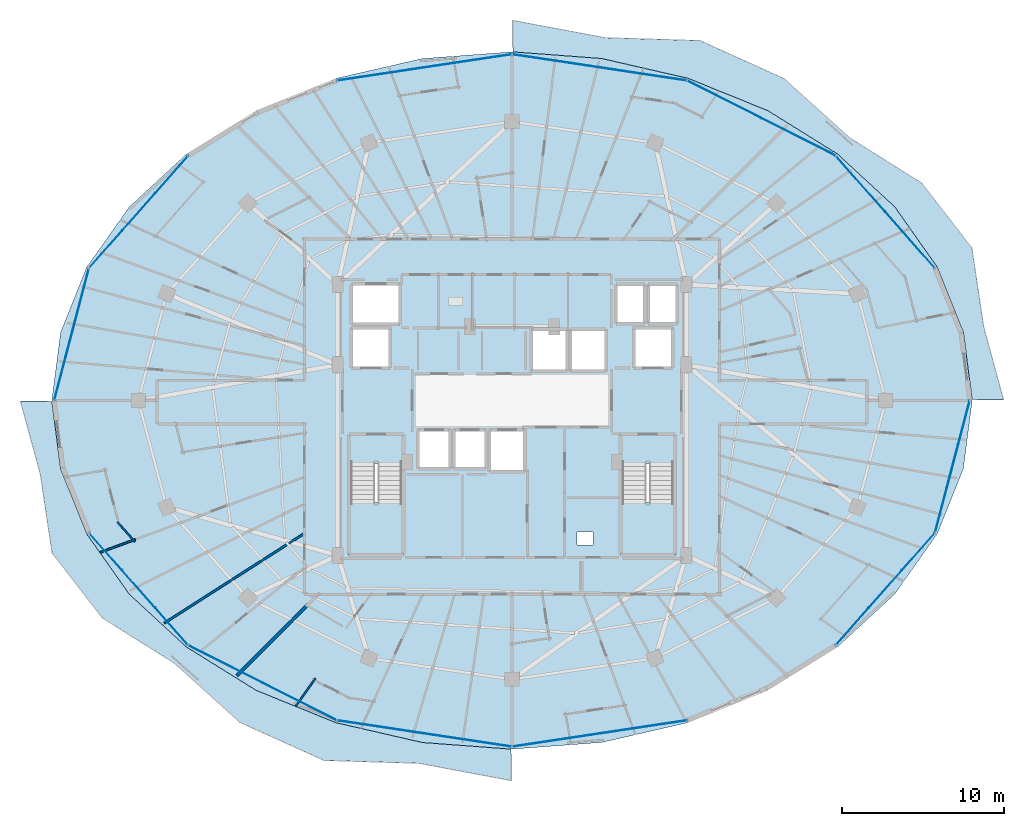
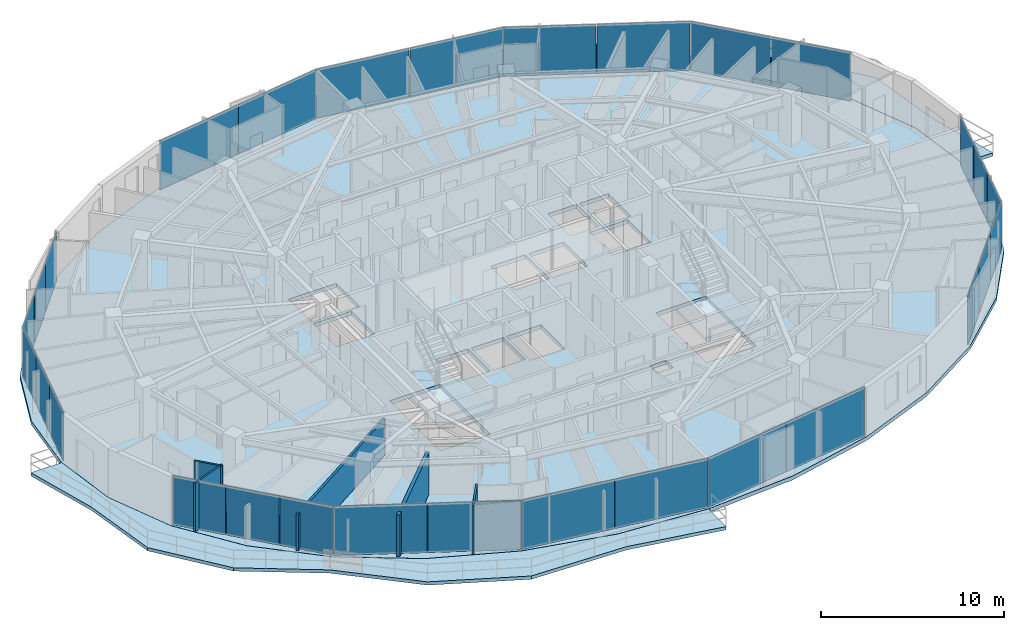
# One storey, part 23 of 34: 29 plates, 5 slabs, 5 walls, 6 elements without a shape of their own.
"""IFC4 building model written with IfcOpenShell, lengths in metres."""

from ifc_helpers import new_model, si_unit, direction, frame, frame_2d, origin, origin_2d, place, context, subcontext, project, spatial, polyline, rectangle, outline, extrude, material, layer, layer_set, type_object, element, aggregate, save


model = new_model("IFC4")

# Units and contexts
model_context = context("Model", 3, precision=1e-05, world=origin(), true_north=direction((0.0, 1.0)))
body_context = subcontext(model_context, "Body", "Model", "MODEL_VIEW")
ifc_project = project(units=[si_unit("LENGTHUNIT", "METRE"), si_unit("AREAUNIT", "SQUARE_METRE"), si_unit("VOLUMEUNIT", "CUBIC_METRE"), si_unit("PLANEANGLEUNIT", "RADIAN"), si_unit("MASSUNIT", "GRAM", prefix="KILO")], contexts=[model_context])

# Site, building, storey
site_placement = place(None, origin())
site = spatial("IfcSite", under=ifc_project, at=site_placement, CompositionType="ELEMENT")
building_placement = place(site_placement, origin())
building = spatial("IfcBuilding", under=site, at=building_placement, Name="Vorneva Point Tower", CompositionType="ELEMENT")
storey_placement = place(building_placement, frame((0.0, 0.0, 186.10009765625)))
storey = spatial("IfcBuildingStorey", under=building, at=storey_placement, Name="L50", CompositionType="ELEMENT", Elevation=186.10009765625)

# Curtain wall, plates
ifc_material_1 = material(Name="Pale anodised aluminium", Category="aluminium")
curtain_wall_type = type_object("IfcCurtainWallType", Name="CW-RES-SYS", PredefinedType="NOTDEFINED", material=ifc_material_1)
curtain_wall_1_placement = place(storey_placement, origin())
curtain_wall_1 = element("IfcCurtainWall", 1, at=curtain_wall_1_placement, inside=storey, type_object=curtain_wall_type, Name="L50 Unitised Curtain Wall CW-L50-R01", PredefinedType="NOTDEFINED")
ifc_material_2 = material(Name="Double low-e laminated glass IGU", Category="glass")
ifc_layer_1 = layer(ifc_material_2, 0.035888671875)
ifc_layer_set_1 = layer_set([ifc_layer_1], Name="Double low-e laminated glass IGU")
plate_type = type_object("IfcPlateType", Name="CW-PNL-VIS", PredefinedType="CURTAIN_PANEL", material=ifc_layer_set_1)
plate_1_placement = place(storey_placement, frame((62.55126953125, 35.90185546875, -0.02001953125), z_axis=(0.0, 0.0, 1.0), x_axis=(-0.662110096764, 0.74940657841, 0.0)))
plate_1 = element("IfcPlate", 2, at=plate_1_placement, type_object=plate_type, Name="CW-L50-R01 Glazed Panel 01A", PredefinedType="CURTAIN_PANEL", context=body_context, shape_type="SweptSolid", body=[
    extrude(rectangle(XDim=4.5712890625, YDim=0.035888671875, at=origin_2d()), origin(), (0.0, 0.0, 1.0), 3.280029296875),
])
plate_2_placement = place(storey_placement, frame((59.491455078125, 39.364990234375, -0.02001953125), z_axis=(0.0, 0.0, 1.0), x_axis=(-0.662110096764, 0.74940657841, 0.0)))
plate_2 = element("IfcPlate", 3, at=plate_2_placement, type_object=plate_type, Name="CW-L50-R01 Glazed Panel 01B", PredefinedType="CURTAIN_PANEL", context=body_context, shape_type="SweptSolid", body=[
    extrude(rectangle(XDim=4.5712890625, YDim=0.035888671875, at=origin_2d()), origin(), (0.0, 0.0, 1.0), 3.280029296875),
])
plate_3_placement = place(storey_placement, frame((55.672119140625, 42.253662109375, -0.02001953125), z_axis=(0.0, 0.0, 1.0), x_axis=(-0.892514983762, 0.451017742179, 0.0)))
plate_3 = element("IfcPlate", 4, at=plate_3_placement, type_object=plate_type, Name="CW-L50-R01 Glazed Panel 02A", PredefinedType="CURTAIN_PANEL", context=body_context, shape_type="SweptSolid", body=[
    extrude(rectangle(XDim=5.080810546875, YDim=0.035888671875, at=origin_2d()), origin(), (0.0, 0.0, 1.0), 3.280029296875),
])
plate_4_placement = place(storey_placement, frame((51.0927734375, 44.56787109375, -0.02001953125), z_axis=(0.0, 0.0, 1.0), x_axis=(-0.892514983762, 0.451017742179, 0.0)))
plate_4 = element("IfcPlate", 5, at=plate_4_placement, type_object=plate_type, Name="CW-L50-R01 Glazed Panel 02B", PredefinedType="CURTAIN_PANEL", context=body_context, shape_type="SweptSolid", body=[
    extrude(rectangle(XDim=5.080810546875, YDim=0.035888671875, at=origin_2d()), origin(), (0.0, 0.0, 1.0), 3.280029296875),
])
plate_5_placement = place(storey_placement, frame((46.102294921875, 46.131103515625, -0.02001953125), z_axis=(0.0, 0.0, 1.0), x_axis=(-0.988873520862, 0.148758729957, 0.0)))
plate_5 = element("IfcPlate", 6, at=plate_5_placement, type_object=plate_type, Name="CW-L50-R01 Glazed Panel 03A", PredefinedType="CURTAIN_PANEL", context=body_context, shape_type="SweptSolid", body=[
    extrude(rectangle(XDim=5.412353515625, YDim=0.035888671875, at=origin_2d()), origin(), (0.0, 0.0, 1.0), 3.280029296875),
])
plate_6_placement = place(storey_placement, frame((40.70068359375, 46.943603515625, -0.02001953125), z_axis=(0.0, 0.0, 1.0), x_axis=(-0.988873520862, 0.148758729957, 0.0)))
plate_6 = element("IfcPlate", 7, at=plate_6_placement, type_object=plate_type, Name="CW-L50-R01 Glazed Panel 03B", PredefinedType="CURTAIN_PANEL", context=body_context, shape_type="SweptSolid", body=[
    extrude(rectangle(XDim=5.412353515625, YDim=0.035888671875, at=origin_2d()), origin(), (0.0, 0.0, 1.0), 3.280029296875),
])
plate_7_placement = place(storey_placement, frame((35.29931640625, 46.943603515625, -0.02001953125), z_axis=(0.0, 0.0, 1.0), x_axis=(-0.988873520862, -0.148758729957, 0.0)))
plate_7 = element("IfcPlate", 8, at=plate_7_placement, type_object=plate_type, Name="CW-L50-R01 Glazed Panel 04A", PredefinedType="CURTAIN_PANEL", context=body_context, shape_type="SweptSolid", body=[
    extrude(rectangle(XDim=5.412353515625, YDim=0.035888671875, at=origin_2d()), origin(), (0.0, 0.0, 1.0), 3.280029296875),
])
plate_8_placement = place(storey_placement, frame((29.897705078125, 46.131103515625, -0.02001953125), z_axis=(0.0, 0.0, 1.0), x_axis=(-0.988873520862, -0.148758729957, 0.0)))
plate_8 = element("IfcPlate", 9, at=plate_8_placement, type_object=plate_type, Name="CW-L50-R01 Glazed Panel 04B", PredefinedType="CURTAIN_PANEL", context=body_context, shape_type="SweptSolid", body=[
    extrude(rectangle(XDim=5.412353515625, YDim=0.035888671875, at=origin_2d()), origin(), (0.0, 0.0, 1.0), 3.280029296875),
])
aggregate(curtain_wall_1, [plate_1, plate_2, plate_3, plate_4, plate_5, plate_6, plate_7, plate_8])

curtain_wall_2_placement = place(storey_placement, origin())
curtain_wall_2 = element("IfcCurtainWall", 10, at=curtain_wall_2_placement, inside=storey, type_object=curtain_wall_type, Name="L50 Unitised Curtain Wall CW-L50-R02", PredefinedType="NOTDEFINED")
plate_9_placement = place(storey_placement, frame((17.0185546875, 39.9423828125, -0.02001953125), z_axis=(0.0, 0.0, 1.0), x_axis=(-0.662110096764, -0.74940657841, 0.0)))
plate_9 = element("IfcPlate", 11, at=plate_9_placement, type_object=plate_type, Name="CW-L50-R02 Glazed Panel 01A", PredefinedType="CURTAIN_PANEL", context=body_context, shape_type="SweptSolid", body=[
    extrude(rectangle(XDim=3.03076171875, YDim=0.035888671875, at=origin_2d()), origin(), (0.0, 0.0, 1.0), 3.280029296875),
])
plate_10_placement = place(storey_placement, frame((14.978759765625, 37.633544921875, -0.02001953125), z_axis=(0.0, 0.0, 1.0), x_axis=(-0.662110096764, -0.74940657841, 0.0)))
plate_10 = element("IfcPlate", 12, at=plate_10_placement, type_object=plate_type, Name="CW-L50-R02 Glazed Panel 01B", PredefinedType="CURTAIN_PANEL", context=body_context, shape_type="SweptSolid", body=[
    extrude(rectangle(XDim=3.03076171875, YDim=0.035888671875, at=origin_2d()), origin(), (0.0, 0.0, 1.0), 3.280029296875),
])
plate_11_placement = place(storey_placement, frame((12.938720703125, 35.32470703125, -0.02001953125), z_axis=(0.0, 0.0, 1.0), x_axis=(-0.662110096764, -0.74940657841, 0.0)))
plate_11 = element("IfcPlate", 13, at=plate_11_placement, type_object=plate_type, Name="CW-L50-R02 Glazed Panel 01C", PredefinedType="CURTAIN_PANEL", context=body_context, shape_type="SweptSolid", body=[
    extrude(rectangle(XDim=3.03076171875, YDim=0.035888671875, at=origin_2d()), origin(), (0.0, 0.0, 1.0), 3.280029296875),
])
plate_12_placement = place(storey_placement, frame((11.560791015625, 32.80859375, -0.02001953125), z_axis=(0.0, 0.0, 1.0), x_axis=(-0.254365646708, -0.967108121036, 0.0)))
plate_12 = element("IfcPlate", 14, at=plate_12_placement, type_object=plate_type, Name="CW-L50-R02 Glazed Panel 02A", PredefinedType="CURTAIN_PANEL", context=body_context, shape_type="SweptSolid", body=[
    extrude(rectangle(XDim=2.76611328125, YDim=0.035888671875, at=origin_2d()), origin(), (0.0, 0.0, 1.0), 3.280029296875),
])
plate_13_placement = place(storey_placement, frame((10.844482421875, 30.085205078125, -0.02001953125), z_axis=(0.0, 0.0, 1.0), x_axis=(-0.254365646708, -0.967108121036, 0.0)))
plate_13 = element("IfcPlate", 15, at=plate_13_placement, type_object=plate_type, Name="CW-L50-R02 Glazed Panel 02B", PredefinedType="CURTAIN_PANEL", context=body_context, shape_type="SweptSolid", body=[
    extrude(rectangle(XDim=2.76611328125, YDim=0.035888671875, at=origin_2d()), origin(), (0.0, 0.0, 1.0), 3.280029296875),
])
plate_14_placement = place(storey_placement, frame((10.128173828125, 27.36181640625, -0.02001953125), z_axis=(0.0, 0.0, 1.0), x_axis=(-0.254365646708, -0.967108121036, 0.0)))
plate_14 = element("IfcPlate", 16, at=plate_14_placement, type_object=plate_type, Name="CW-L50-R02 Glazed Panel 02C", PredefinedType="CURTAIN_PANEL", context=body_context, shape_type="SweptSolid", body=[
    extrude(rectangle(XDim=2.76611328125, YDim=0.035888671875, at=origin_2d()), origin(), (0.0, 0.0, 1.0), 3.280029296875),
])
aggregate(curtain_wall_2, [plate_9, plate_10, plate_11, plate_12, plate_13, plate_14])

curtain_wall_3_placement = place(storey_placement, origin())
curtain_wall_3 = element("IfcCurtainWall", 17, at=curtain_wall_3_placement, inside=storey, type_object=curtain_wall_type, Name="L50 Unitised Curtain Wall CW-L50-R03", PredefinedType="NOTDEFINED")
plate_15_placement = place(storey_placement, frame((12.938720703125, 16.67529296875, -0.02001953125), z_axis=(0.0, 0.0, 1.0), x_axis=(0.662110096764, -0.74940657841, 0.0)))
plate_15 = element("IfcPlate", 18, at=plate_15_placement, type_object=plate_type, Name="CW-L50-R03 Glazed Panel 01A", PredefinedType="CURTAIN_PANEL", context=body_context, shape_type="SweptSolid", body=[
    extrude(rectangle(XDim=3.03076171875, YDim=0.035888671875, at=origin_2d()), origin(), (0.0, 0.0, 1.0), 3.280029296875),
])
plate_16_placement = place(storey_placement, frame((14.978759765625, 14.366455078125, -0.02001953125), z_axis=(0.0, 0.0, 1.0), x_axis=(0.662110096764, -0.74940657841, 0.0)))
plate_16 = element("IfcPlate", 19, at=plate_16_placement, type_object=plate_type, Name="CW-L50-R03 Glazed Panel 01B", PredefinedType="CURTAIN_PANEL", context=body_context, shape_type="SweptSolid", body=[
    extrude(rectangle(XDim=3.03076171875, YDim=0.035888671875, at=origin_2d()), origin(), (0.0, 0.0, 1.0), 3.280029296875),
])
plate_17_placement = place(storey_placement, frame((17.0185546875, 12.0576171875, -0.02001953125), z_axis=(0.0, 0.0, 1.0), x_axis=(0.662110096764, -0.74940657841, 0.0)))
plate_17 = element("IfcPlate", 20, at=plate_17_placement, type_object=plate_type, Name="CW-L50-R03 Glazed Panel 01C", PredefinedType="CURTAIN_PANEL", context=body_context, shape_type="SweptSolid", body=[
    extrude(rectangle(XDim=3.03076171875, YDim=0.035888671875, at=origin_2d()), origin(), (0.0, 0.0, 1.0), 3.280029296875),
])
plate_18_placement = place(storey_placement, frame((20.327880859375, 9.746337890625, -0.02001953125), z_axis=(0.0, 0.0, 1.0), x_axis=(0.892514983762, -0.451017742179, 0.0)))
plate_18 = element("IfcPlate", 21, at=plate_18_placement, type_object=plate_type, Name="CW-L50-R03 Glazed Panel 02A", PredefinedType="CURTAIN_PANEL", context=body_context, shape_type="SweptSolid", body=[
    extrude(rectangle(XDim=5.080810546875, YDim=0.035888671875, at=origin_2d()), origin(), (0.0, 0.0, 1.0), 3.280029296875),
])
plate_19_placement = place(storey_placement, frame((24.9072265625, 7.43212890625, -0.02001953125), z_axis=(0.0, 0.0, 1.0), x_axis=(0.892514983762, -0.451017742179, 0.0)))
plate_19 = element("IfcPlate", 22, at=plate_19_placement, type_object=plate_type, Name="CW-L50-R03 Glazed Panel 02B", PredefinedType="CURTAIN_PANEL", context=body_context, shape_type="SweptSolid", body=[
    extrude(rectangle(XDim=5.080810546875, YDim=0.035888671875, at=origin_2d()), origin(), (0.0, 0.0, 1.0), 3.280029296875),
])
plate_20_placement = place(storey_placement, frame((29.897705078125, 5.868896484375, -0.02001953125), z_axis=(0.0, 0.0, 1.0), x_axis=(0.988873520862, -0.148758729957, 0.0)))
plate_20 = element("IfcPlate", 23, at=plate_20_placement, type_object=plate_type, Name="CW-L50-R03 Glazed Panel 03A", PredefinedType="CURTAIN_PANEL", context=body_context, shape_type="SweptSolid", body=[
    extrude(rectangle(XDim=5.412353515625, YDim=0.035888671875, at=origin_2d()), origin(), (0.0, 0.0, 1.0), 3.280029296875),
])
plate_21_placement = place(storey_placement, frame((35.29931640625, 5.056396484375, -0.02001953125), z_axis=(0.0, 0.0, 1.0), x_axis=(0.988873520862, -0.148758729957, 0.0)))
plate_21 = element("IfcPlate", 24, at=plate_21_placement, type_object=plate_type, Name="CW-L50-R03 Glazed Panel 03B", PredefinedType="CURTAIN_PANEL", context=body_context, shape_type="SweptSolid", body=[
    extrude(rectangle(XDim=5.412353515625, YDim=0.035888671875, at=origin_2d()), origin(), (0.0, 0.0, 1.0), 3.280029296875),
])
plate_22_placement = place(storey_placement, frame((40.70068359375, 5.056396484375, -0.02001953125), z_axis=(0.0, 0.0, 1.0), x_axis=(0.988873520862, 0.148758729957, 0.0)))
plate_22 = element("IfcPlate", 25, at=plate_22_placement, type_object=plate_type, Name="CW-L50-R03 Glazed Panel 04A", PredefinedType="CURTAIN_PANEL", context=body_context, shape_type="SweptSolid", body=[
    extrude(rectangle(XDim=5.412353515625, YDim=0.035888671875, at=origin_2d()), origin(), (0.0, 0.0, 1.0), 3.280029296875),
])
plate_23_placement = place(storey_placement, frame((46.102294921875, 5.868896484375, -0.02001953125), z_axis=(0.0, 0.0, 1.0), x_axis=(0.988873520862, 0.148758729957, 0.0)))
plate_23 = element("IfcPlate", 26, at=plate_23_placement, type_object=plate_type, Name="CW-L50-R03 Glazed Panel 04B", PredefinedType="CURTAIN_PANEL", context=body_context, shape_type="SweptSolid", body=[
    extrude(rectangle(XDim=5.412353515625, YDim=0.035888671875, at=origin_2d()), origin(), (0.0, 0.0, 1.0), 3.280029296875),
])
aggregate(curtain_wall_3, [plate_15, plate_16, plate_17, plate_18, plate_19, plate_20, plate_21, plate_22, plate_23])

curtain_wall_4_placement = place(storey_placement, origin())
curtain_wall_4 = element("IfcCurtainWall", 27, at=curtain_wall_4_placement, inside=storey, type_object=curtain_wall_type, Name="L50 Unitised Curtain Wall CW-L50-R04", PredefinedType="NOTDEFINED")
plate_24_placement = place(storey_placement, frame((58.9814453125, 12.0576171875, -0.02001953125), z_axis=(0.0, 0.0, 1.0), x_axis=(0.662110096764, 0.74940657841, 0.0)))
plate_24 = element("IfcPlate", 28, at=plate_24_placement, type_object=plate_type, Name="CW-L50-R04 Glazed Panel 01A", PredefinedType="CURTAIN_PANEL", context=body_context, shape_type="SweptSolid", body=[
    extrude(rectangle(XDim=3.03076171875, YDim=0.035888671875, at=origin_2d()), origin(), (0.0, 0.0, 1.0), 3.280029296875),
])
plate_25_placement = place(storey_placement, frame((61.021240234375, 14.366455078125, -0.02001953125), z_axis=(0.0, 0.0, 1.0), x_axis=(0.662110096764, 0.74940657841, 0.0)))
plate_25 = element("IfcPlate", 29, at=plate_25_placement, type_object=plate_type, Name="CW-L50-R04 Glazed Panel 01B", PredefinedType="CURTAIN_PANEL", context=body_context, shape_type="SweptSolid", body=[
    extrude(rectangle(XDim=3.03076171875, YDim=0.035888671875, at=origin_2d()), origin(), (0.0, 0.0, 1.0), 3.280029296875),
])
plate_26_placement = place(storey_placement, frame((63.061279296875, 16.67529296875, -0.02001953125), z_axis=(0.0, 0.0, 1.0), x_axis=(0.662110096764, 0.74940657841, 0.0)))
plate_26 = element("IfcPlate", 30, at=plate_26_placement, type_object=plate_type, Name="CW-L50-R04 Glazed Panel 01C", PredefinedType="CURTAIN_PANEL", context=body_context, shape_type="SweptSolid", body=[
    extrude(rectangle(XDim=3.03076171875, YDim=0.035888671875, at=origin_2d()), origin(), (0.0, 0.0, 1.0), 3.280029296875),
])
plate_27_placement = place(storey_placement, frame((64.439208984375, 19.19140625, -0.02001953125), z_axis=(0.0, 0.0, 1.0), x_axis=(0.254365646708, 0.967108121036, 0.0)))
plate_27 = element("IfcPlate", 31, at=plate_27_placement, type_object=plate_type, Name="CW-L50-R04 Glazed Panel 02A", PredefinedType="CURTAIN_PANEL", context=body_context, shape_type="SweptSolid", body=[
    extrude(rectangle(XDim=2.76611328125, YDim=0.035888671875, at=origin_2d()), origin(), (0.0, 0.0, 1.0), 3.280029296875),
])
plate_28_placement = place(storey_placement, frame((65.155517578125, 21.914794921875, -0.02001953125), z_axis=(0.0, 0.0, 1.0), x_axis=(0.254365646708, 0.967108121036, 0.0)))
plate_28 = element("IfcPlate", 32, at=plate_28_placement, type_object=plate_type, Name="CW-L50-R04 Glazed Panel 02B", PredefinedType="CURTAIN_PANEL", context=body_context, shape_type="SweptSolid", body=[
    extrude(rectangle(XDim=2.76611328125, YDim=0.035888671875, at=origin_2d()), origin(), (0.0, 0.0, 1.0), 3.280029296875),
])
plate_29_placement = place(storey_placement, frame((65.871826171875, 24.63818359375, -0.02001953125), z_axis=(0.0, 0.0, 1.0), x_axis=(0.254365646708, 0.967108121036, 0.0)))
plate_29 = element("IfcPlate", 33, at=plate_29_placement, type_object=plate_type, Name="CW-L50-R04 Glazed Panel 02C", PredefinedType="CURTAIN_PANEL", context=body_context, shape_type="SweptSolid", body=[
    extrude(rectangle(XDim=2.76611328125, YDim=0.035888671875, at=origin_2d()), origin(), (0.0, 0.0, 1.0), 3.280029296875),
])
aggregate(curtain_wall_4, [plate_24, plate_25, plate_26, plate_27, plate_28, plate_29])

# Slabs
ifc_material_3 = material(Name="Concrete B50 (C40/50)", Category="concrete")
ifc_layer_2 = layer(ifc_material_3, 0.219970703125)
ifc_layer_set_2 = layer_set([ifc_layer_2], Name="Concrete B50 (C40/50)")
slab_type_1 = type_object("IfcSlabType", Name="SLB-BAL-220", PredefinedType="FLOOR", material=ifc_layer_set_2)
slab_1_placement = place(storey_placement, frame((0.0, 0.0, -0.22021484375)))
element("IfcSlab", 34, at=slab_1_placement, inside=storey, type_object=slab_type_1, Name="L50 Cantilevered Wave Balcony NE", PredefinedType="FLOOR", context=body_context, shape_type="SweptSolid", body=[
    extrude(outline(polyline([(38.050048828125, 49.440673828125), (38.050048828125, 47.500244140625), (43.537109375, 47.0908203125), (43.537353515625, 47.0908203125), (43.53759765625, 47.0908203125), (48.861572265625, 45.8671875), (48.86181640625, 45.8671875), (48.862060546875, 45.8671875), (53.7685546875, 43.88037109375), (53.768798828125, 43.880126953125), (53.769287109375, 43.8798828125), (58.06982421875, 41.206298828125), (58.070068359375, 41.2060546875), (58.0703125, 41.205810546875), (61.599853515625, 37.94775390625), (61.60009765625, 37.947509765625), (61.600341796875, 37.947021484375), (64.222900390625, 34.22998046875), (64.22314453125, 34.2294921875), (64.223388671875, 34.229248046875), (65.83837890625, 30.19580078125), (65.83837890625, 30.195556640625), (65.838623046875, 30.1953125), (65.838623046875, 30.19482421875), (66.37744140625, 26.050048828125), (68.31640625, 26.050048828125), (67.09521484375, 30.525390625), (66.364990234375, 35.400634765625), (63.260498046875, 39.411865234375), (58.822509765625, 42.19921875), (54.768798828125, 45.85546875), (49.592529296875, 48.1962890625), (43.73095703125, 48.37548828125), (38.050048828125, 49.440673828125)])), origin(), (0.0, 0.0, 1.0), 0.22021484375),
])
slab_2_placement = place(storey_placement, frame((0.0, 0.0, -0.22021484375)))
element("IfcSlab", 35, at=slab_2_placement, inside=storey, type_object=slab_type_1, Name="L50 Cantilevered Wave Balcony SW", PredefinedType="FLOOR", context=body_context, shape_type="SweptSolid", body=[
    extrude(outline(polyline([(37.949951171875, 2.559326171875), (37.949951171875, 4.499755859375), (32.462890625, 4.9091796875), (32.462646484375, 4.9091796875), (32.46240234375, 4.9091796875), (27.138427734375, 6.1328125), (27.13818359375, 6.1328125), (27.137939453125, 6.1328125), (22.2314453125, 8.11962890625), (22.231201171875, 8.119873046875), (22.230712890625, 8.1201171875), (17.93017578125, 10.793701171875), (17.929931640625, 10.7939453125), (17.9296875, 10.794189453125), (14.400146484375, 14.05224609375), (14.39990234375, 14.052490234375), (14.399658203125, 14.052978515625), (11.777099609375, 17.77001953125), (11.77685546875, 17.7705078125), (11.776611328125, 17.770751953125), (10.16162109375, 21.80419921875), (10.16162109375, 21.804443359375), (10.161376953125, 21.8046875), (10.161376953125, 21.80517578125), (9.62255859375, 25.949951171875), (7.68359375, 25.949951171875), (8.90478515625, 21.474609375), (9.635009765625, 16.599365234375), (12.739501953125, 12.588134765625), (17.177490234375, 9.80078125), (21.231201171875, 6.14453125), (26.407470703125, 3.8037109375), (32.26904296875, 3.62451171875), (37.949951171875, 2.559326171875)])), origin(), (0.0, 0.0, 1.0), 0.22021484375),
])

# Stair, slab
stair_type = type_object("IfcStairType", Name="ST-DOG-1500", PredefinedType="HALF_TURN_STAIR", material=ifc_material_3)
stair_1_placement = place(storey_placement, origin())
stair_1 = element("IfcStair", 36, at=stair_1_placement, inside=storey, type_object=stair_type, Name="L50 ST1", PredefinedType="HALF_TURN_STAIR")
ifc_layer_3 = layer(ifc_material_3, 0.199951171875)
ifc_layer_set_3 = layer_set([ifc_layer_3], Name="Concrete B50 (C40/50)")
slab_type_2 = type_object("IfcSlabType", Name="SLB-LND-200", PredefinedType="LANDING", material=ifc_layer_set_3)
slab_3_placement = place(storey_placement, frame((0.0, 0.0, 1.5498046875)))
slab_3 = element("IfcSlab", 37, at=slab_3_placement, type_object=slab_type_2, Name="ST1 landing 1", PredefinedType="LANDING", context=body_context, shape_type="SweptSolid", body=[
    extrude(outline(polyline([(27.929931640625, 16.47998046875), (31.320068359375, 16.47998046875), (31.320068359375, 19.72998046875), (27.929931640625, 19.72998046875), (27.929931640625, 16.47998046875)])), origin(), (0.0, 0.0, 1.0), 0.2001953125),
])
aggregate(stair_1, [slab_3])

stair_2_placement = place(storey_placement, origin())
stair_2 = element("IfcStair", 38, at=stair_2_placement, inside=storey, type_object=stair_type, Name="L50 ST2", PredefinedType="HALF_TURN_STAIR")
slab_4_placement = place(storey_placement, frame((0.0, 0.0, 1.5498046875)))
slab_4 = element("IfcSlab", 39, at=slab_4_placement, type_object=slab_type_2, Name="ST2 landing 1", PredefinedType="LANDING", context=body_context, shape_type="SweptSolid", body=[
    extrude(outline(polyline([(44.679931640625, 16.47998046875), (48.070068359375, 16.47998046875), (48.070068359375, 19.72998046875), (44.679931640625, 19.72998046875), (44.679931640625, 16.47998046875)])), origin(), (0.0, 0.0, 1.0), 0.2001953125),
])
aggregate(stair_2, [slab_4])

# Slab
ifc_layer_4 = layer(ifc_material_3, 0.260009765625)
ifc_layer_set_4 = layer_set([ifc_layer_4], Name="Concrete B50 (C40/50)")
slab_type_3 = type_object("IfcSlabType", Name="SLB-TYP-260", PredefinedType="FLOOR", material=ifc_layer_set_4)
slab_5_placement = place(storey_placement, frame((0.0, 0.0, -0.260009765625)))
element("IfcSlab", 40, at=slab_5_placement, inside=storey, type_object=slab_type_3, Name="L50 Structural Floor Plate", PredefinedType="FLOOR", context=body_context, shape_type="SweptSolid", body=[
    extrude(outline(polyline([(66.3798828125, 26.0), (65.834716796875, 30.1943359375), (64.2197265625, 34.227783203125), (61.59716796875, 37.94482421875), (58.067626953125, 41.202880859375), (53.76708984375, 43.876708984375), (48.860595703125, 45.86328125), (43.53662109375, 47.0869140625), (38.0, 47.5), (32.46337890625, 47.0869140625), (27.139404296875, 45.86328125), (22.23291015625, 43.876708984375), (17.932373046875, 41.202880859375), (14.40283203125, 37.94482421875), (11.7802734375, 34.227783203125), (10.165283203125, 30.1943359375), (9.6201171875, 26.0), (10.165283203125, 21.8056640625), (11.7802734375, 17.772216796875), (14.40283203125, 14.05517578125), (17.932373046875, 10.797119140625), (22.23291015625, 8.123291015625), (27.139404296875, 6.13671875), (32.46337890625, 4.9130859375), (38.0, 4.5), (43.53662109375, 4.9130859375), (48.860595703125, 6.13671875), (53.76708984375, 8.123291015625), (58.067626953125, 10.797119140625), (61.59716796875, 14.05517578125), (64.2197265625, 17.772216796875), (65.834716796875, 21.8056640625), (66.3798828125, 26.0)]), holes=[polyline([(32.199951171875, 21.800048828125), (34.199951171875, 21.800048828125), (34.199951171875, 24.199951171875), (32.199951171875, 24.199951171875), (32.199951171875, 21.800048828125)]), polyline([(34.39990234375, 21.800048828125), (36.39990234375, 21.800048828125), (36.39990234375, 24.199951171875), (34.39990234375, 24.199951171875), (34.39990234375, 21.800048828125)]), polyline([(36.60009765625, 21.60009765625), (38.800048828125, 21.60009765625), (38.800048828125, 24.199951171875), (36.60009765625, 24.199951171875), (36.60009765625, 21.60009765625)]), polyline([(39.199951171875, 27.800048828125), (41.39990234375, 27.800048828125), (41.39990234375, 30.39990234375), (39.199951171875, 30.39990234375), (39.199951171875, 27.800048828125)]), polyline([(41.60009765625, 27.800048828125), (43.800048828125, 27.800048828125), (43.800048828125, 30.39990234375), (41.60009765625, 30.39990234375), (41.60009765625, 27.800048828125)]), polyline([(44.39990234375, 30.739990234375), (46.199951171875, 30.739990234375), (46.199951171875, 33.159912109375), (44.39990234375, 33.159912109375), (44.39990234375, 30.739990234375)]), polyline([(46.39990234375, 30.739990234375), (48.199951171875, 30.739990234375), (48.199951171875, 33.159912109375), (46.39990234375, 33.159912109375), (46.39990234375, 30.739990234375)]), polyline([(28.10009765625, 28.0), (30.5, 28.0), (30.5, 30.5), (28.10009765625, 30.5), (28.10009765625, 28.0)]), polyline([(45.5, 28.0), (47.89990234375, 28.0), (47.89990234375, 30.5), (45.5, 30.5), (45.5, 28.0)]), polyline([(28.10009765625, 30.699951171875), (31.10009765625, 30.699951171875), (31.10009765625, 33.199951171875), (28.10009765625, 33.199951171875), (28.10009765625, 30.699951171875)]), polyline([(28.050048828125, 16.60009765625), (31.199951171875, 16.60009765625), (31.199951171875, 22.080078125), (28.050048828125, 22.080078125), (28.050048828125, 16.60009765625)]), polyline([(44.800048828125, 16.60009765625), (47.949951171875, 16.60009765625), (47.949951171875, 22.080078125), (44.800048828125, 22.080078125), (44.800048828125, 16.60009765625)]), polyline([(42.0, 17.10009765625), (43.0, 17.10009765625), (43.0, 17.89990234375), (42.0, 17.89990234375), (42.0, 17.10009765625)])]), origin(), (0.0, 0.0, 1.0), 0.260009765625),
])

# Walls
ifc_material_4 = material(Name="Fire-rated acoustic gypsum stud partition", Category="gypsum")
ifc_layer_5 = layer(ifc_material_4, 0.110107421875)
ifc_layer_set_5 = layer_set([ifc_layer_5], Name="Fire-rated acoustic gypsum stud partition")
wall_type_1 = type_object("IfcWallType", Name="WL-PART-110", PredefinedType="PARTITIONING", material=ifc_layer_set_5)
wall_1_placement = place(storey_placement, frame((13.664306640625, 18.510986328125, 0.0), z_axis=(0.0, 0.0, 1.0), x_axis=(0.662345628205, -0.749198417509, 0.0)))
element("IfcWall", 41, at=wall_1_placement, inside=storey, type_object=wall_type_1, Name="L50 Interior Partition 155", PredefinedType="PARTITIONING", context=body_context, shape_type="SweptSolid", body=[
    extrude(rectangle(XDim=1.638916015625, YDim=0.110107421875, at=frame_2d((0.8193359375, 0.0))), origin(), (0.0, 0.0, 1.0), 3.239990234375),
])
wall_2_placement = place(storey_placement, frame((12.603759765625, 16.630615234375, 0.0), z_axis=(0.0, 0.0, 1.0), x_axis=(0.938194450562, 0.346108614361, 0.0)))
element("IfcWall", 42, at=wall_2_placement, inside=storey, type_object=wall_type_1, Name="L50 Interior Partition 157", PredefinedType="PARTITIONING", context=body_context, shape_type="SweptSolid", body=[
    extrude(rectangle(XDim=2.328369140625, YDim=0.110107421875, at=frame_2d((1.1640625, 0.0))), origin(), (0.0, 0.0, 1.0), 3.239990234375),
])
wall_3_placement = place(storey_placement, frame((24.666259765625, 7.15380859375, 0.0), z_axis=(0.0, 0.0, 1.0), x_axis=(0.577389248155, 0.816469017241, 0.0)))
element("IfcWall", 43, at=wall_3_placement, inside=storey, type_object=wall_type_1, Name="L50 Interior Partition 165", PredefinedType="PARTITIONING", context=body_context, shape_type="SweptSolid", body=[
    extrude(rectangle(XDim=2.103515625, YDim=0.110107421875, at=frame_2d((1.0517578125, 0.0))), origin(), (0.0, 0.0, 1.0), 3.239990234375),
])
ifc_layer_6 = layer(ifc_material_4, 0.139892578125)
ifc_layer_set_6 = layer_set([ifc_layer_6], Name="Fire-rated acoustic gypsum stud partition")
wall_type_2 = type_object("IfcWallType", Name="WL-PART-140", PredefinedType="PARTITIONING", material=ifc_layer_set_6)
wall_4_placement = place(storey_placement, frame((16.554931640625, 12.27197265625, 0.0), z_axis=(0.0, 0.0, 1.0), x_axis=(0.842221721565, 0.539131312135, 0.0)))
element("IfcWall", 44, at=wall_4_placement, inside=storey, type_object=wall_type_2, Name="L50 Interior Partition 159", PredefinedType="PARTITIONING", context=body_context, shape_type="SweptSolid", body=[
    extrude(rectangle(XDim=10.2646484375, YDim=0.139892578125, at=frame_2d((5.13232421875, 0.0))), origin(), (0.0, 0.0, 1.0), 2.431884765625),
])
ifc_material_5 = material(Name="Autoclaved aerated concrete blockwork", Category="masonry")
ifc_layer_7 = layer(ifc_material_5, 0.199951171875)
ifc_layer_set_7 = layer_set([ifc_layer_7], Name="Autoclaved aerated concrete blockwork")
wall_type_3 = type_object("IfcWallType", Name="WL-PART-200", PredefinedType="PARTITIONING", material=ifc_layer_set_7)
wall_5_placement = place(storey_placement, frame((21.041015625, 9.041015625, 0.0), z_axis=(0.0, 0.0, 1.0), x_axis=(0.707106781187, 0.707106781187, 0.0)))
element("IfcWall", 45, at=wall_5_placement, inside=storey, type_object=wall_type_3, Name="L50 Interior Partition 161", PredefinedType="PARTITIONING", context=body_context, shape_type="SweptSolid", body=[
    extrude(rectangle(XDim=6.17578125, YDim=0.199951171875, at=frame_2d((3.087890625, 0.0))), origin(), (0.0, 0.0, 1.0), 2.77392578125),
])

save(model, "model.ifc")
